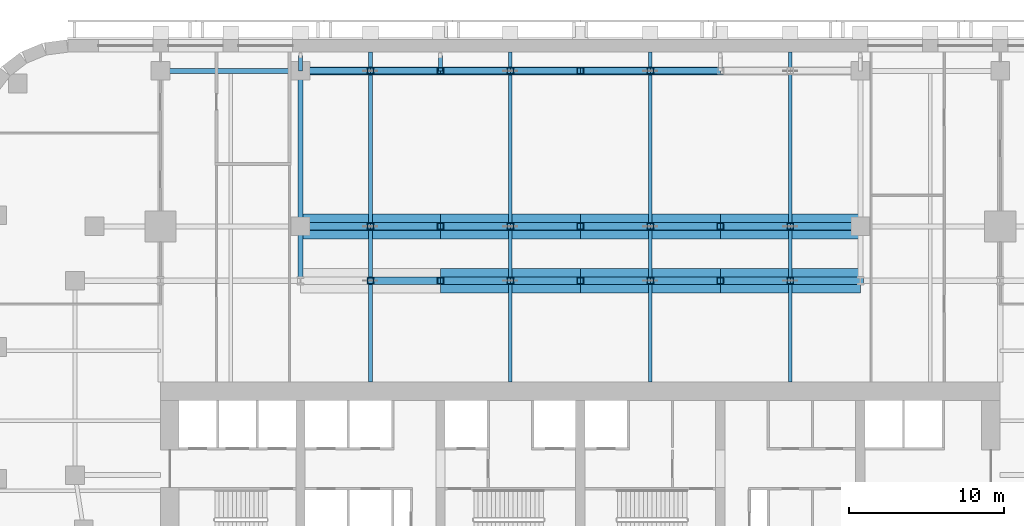
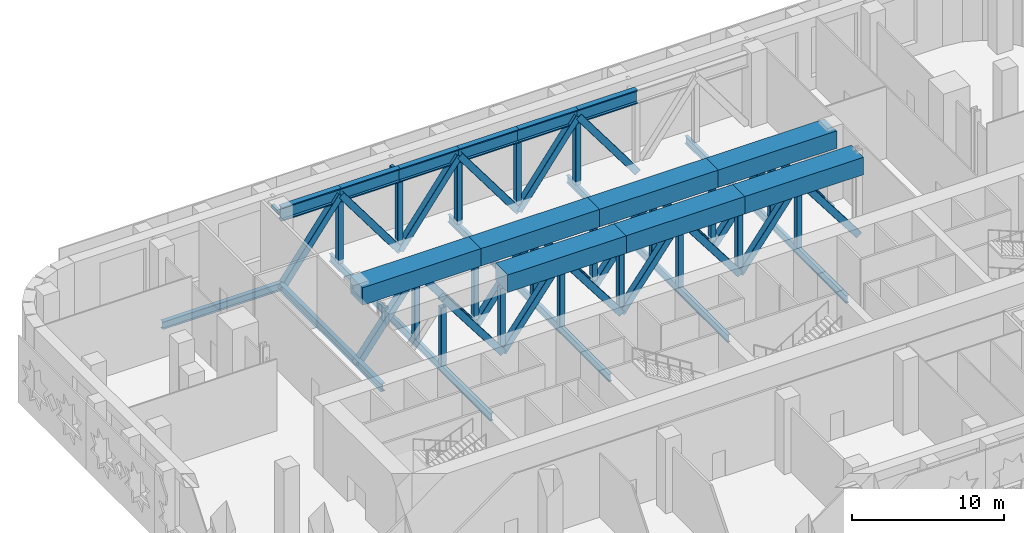
# One storey, part 2 of 15: 48 members, 13 beams.
"""IFC4 building model written with IfcOpenShell, lengths in metres."""

import ifcopenshell
import ifcopenshell.guid

model = None  # the IFC model being written
_history = None  # IfcOwnerHistory: only IFC2X3 demands one
_inside = {}  # id of a spatial element -> (the spatial element, [elements in it])
_under = {}  # id of a project, library or spatial element -> (it, [spatial elements below it])
_declared = {}  # id of a project -> (the project, [libraries it declares])
_typed = {}  # id of a type object -> (the type object, [elements of that type])
_made_of = {}  # id of a material, layer set ... -> (it, [elements and type objects made of it])


def new_model(schema):
    """Start an empty IFC model of exactly this schema.

    Asked for "IFC4X3", IfcOpenShell would pick the latest addendum, in which some entities
    have other attributes; the version numbers below select the first issue.
    IFC2X3 requires an IfcOwnerHistory on every rooted entity: one is made here for all.
    """
    global model, _history
    if schema == "IFC4X3":
        model = ifcopenshell.file(schema_version=(4, 3, 0, 0))
    else:
        model = ifcopenshell.file(schema=schema)
    _inside.clear()
    _under.clear()
    _declared.clear()
    _typed.clear()
    _made_of.clear()
    _history = None
    if model.schema == "IFC2X3":
        org = make("IfcOrganization", Name="unknown")
        user = make(
            "IfcPersonAndOrganization",
            ThePerson=make("IfcPerson", FamilyName="unknown"),
            TheOrganization=org,
        )
        app = make(
            "IfcApplication",
            ApplicationDeveloper=org,
            Version="unknown",
            ApplicationFullName="unknown",
            ApplicationIdentifier="unknown",
        )
        _history = make(
            "IfcOwnerHistory",
            OwningUser=user,
            OwningApplication=app,
            ChangeAction="ADDED",
            CreationDate=0,
        )
    return model


def make(cls, **values):
    """One entity of the class cls with the attributes given. An attribute that is None is left unset."""
    return model.create_entity(
        cls, **{name: value for name, value in values.items() if value is not None}
    )


def rooted(cls, **values):
    """An entity with a GlobalId (a new one), such as an element, a storey or a relation."""
    return make(cls, GlobalId=ifcopenshell.guid.new(), OwnerHistory=_history, **values)


def si_unit(unit_type, name, prefix=None):
    """IfcSIUnit, for example si_unit("LENGTHUNIT", "METRE", prefix="MILLI")."""
    return make("IfcSIUnit", UnitType=unit_type, Prefix=prefix, Name=name)


def assignment(units):
    """IfcUnitAssignment: the units of a project."""
    return None if units is None else make("IfcUnitAssignment", Units=units)


def point(xyz):
    """IfcCartesianPoint."""
    return None if xyz is None else make("IfcCartesianPoint", Coordinates=xyz)


def direction(xyz):
    """IfcDirection."""
    return None if xyz is None else make("IfcDirection", DirectionRatios=xyz)


def frame(location, z_axis=None, x_axis=None):
    """IfcAxis2Placement3D, a coordinate frame: its origin and axes. An axis left out is left unset."""
    return make(
        "IfcAxis2Placement3D",
        Location=point(location),
        Axis=direction(z_axis),
        RefDirection=direction(x_axis),
    )


def frame_2d(location, x_axis=None):
    """IfcAxis2Placement2D, a coordinate frame in the plane: its origin and x axis."""
    return make(
        "IfcAxis2Placement2D", Location=point(location), RefDirection=direction(x_axis)
    )


def origin():
    """The frame at (0, 0, 0) with its axes left unset."""
    return frame((0.0, 0.0, 0.0))


def origin_2d():
    """The frame at (0, 0) in the plane with its x axis left unset."""
    return frame_2d((0.0, 0.0))


def place(relative_to, where):
    """IfcLocalPlacement: puts the frame where relative to a parent placement (None: the world)."""
    return make(
        "IfcLocalPlacement", PlacementRelTo=relative_to, RelativePlacement=where
    )


def context(
    kind, dimensions, precision=None, world=None, true_north=None, identifier=None
):
    """IfcGeometricRepresentationContext, for example the 3D "Model" context."""
    return make(
        "IfcGeometricRepresentationContext",
        ContextIdentifier=identifier,
        ContextType=kind,
        CoordinateSpaceDimension=dimensions,
        Precision=precision,
        WorldCoordinateSystem=world,
        TrueNorth=true_north,
    )


def subcontext(parent, identifier, kind, view, scale=None):
    """IfcGeometricRepresentationSubContext, for example "Body" below "Model"."""
    return make(
        "IfcGeometricRepresentationSubContext",
        ContextIdentifier=identifier,
        ContextType=kind,
        ParentContext=parent,
        TargetScale=scale,
        TargetView=view,
    )


def project(units=None, contexts=None):
    """IfcProject with its units and contexts."""
    return rooted(
        "IfcProject",
        Name="project",
        RepresentationContexts=contexts,
        UnitsInContext=assignment(units),
    )


def spatial(cls, under=None, at=None, **own):
    """A site, building, storey or space (cls), placed at a placement, below another one or the project."""
    s = rooted(cls, ObjectPlacement=at, **own)
    if under is not None:
        _under.setdefault(under.id(), (under, []))[1].append(s)
    return s


def profile(cls, at=None, kind="AREA", **sizes):
    """A parametric profile (cls). Its sizes go by their IFC names, for example OverallWidth=200.0."""
    return make(cls, ProfileType=kind, Position=at, **sizes)


def rectangle(**sizes):
    """IfcRectangleProfileDef."""
    return profile("IfcRectangleProfileDef", **sizes)


def hollow_rectangle(**sizes):
    """IfcRectangleHollowProfileDef."""
    return profile("IfcRectangleHollowProfileDef", **sizes)


def i_section(**sizes):
    """IfcIShapeProfileDef."""
    return profile("IfcIShapeProfileDef", **sizes)


def extrude(swept, where, along, depth):
    """IfcExtrudedAreaSolid: the profile swept, set in the frame where, extruded along a direction by depth."""
    return make(
        "IfcExtrudedAreaSolid",
        SweptArea=swept,
        Position=where,
        ExtrudedDirection=direction(along),
        Depth=depth,
    )


def shape(context_of_items, identifier, shape_type, items):
    """IfcShapeRepresentation: the items that make up one representation, for example the "Body"."""
    return make(
        "IfcShapeRepresentation",
        ContextOfItems=context_of_items,
        RepresentationIdentifier=identifier,
        RepresentationType=shape_type,
        Items=items,
    )


def material(Name=None, Category=None):
    """IfcMaterial."""
    return make("IfcMaterial", Name=Name, Category=Category)


def material_profile(
    of_material, cross_section, Name=None, Category=None, Priority=None
):
    """IfcMaterialProfile: a cross section and its material."""
    return make(
        "IfcMaterialProfile",
        Name=Name,
        Material=of_material,
        Profile=cross_section,
        Priority=Priority,
        Category=Category,
    )


def profile_set(profiles, Name=None, composite=None):
    """IfcMaterialProfileSet."""
    return make(
        "IfcMaterialProfileSet",
        Name=Name,
        MaterialProfiles=profiles,
        CompositeProfile=composite,
    )


def made_of(thing, what):
    """Note that an element or type object is made of a material, layer set ...; save() writes the relation."""
    if what is not None:
        _made_of.setdefault(what.id(), (what, []))[1].append(thing)
    return thing


def type_object(cls, material=None, **own):
    """A type object (cls), such as IfcWallType, which elements share."""
    return made_of(rooted(cls, **own), material)


def element(
    cls,
    number,
    at=None,
    inside=None,
    cuts=None,
    type_object=None,
    material=None,
    context=None,
    identifier="Body",
    shape_type=None,
    held_by="IfcProductDefinitionShape",
    body=None,
    shapes=None,
    **own,
):
    """One element of the class cls, such as IfcWall. Its Tag is "e" and its number.

    at: its placement. inside: the storey or other place that contains it. cuts: it is an
    opening in that element (IfcRelVoidsElement). A single representation is given by context,
    identifier, shape_type and body (its items); several are given by shapes. held_by: the class
    of the entity that holds the representations. save() writes the other relations.
    """
    e = rooted(cls, Tag="e%d" % number, ObjectPlacement=at, **own)
    if body is not None:
        shapes = [shape(context, identifier, shape_type, body)]
    if shapes is not None:
        e.Representation = make(held_by, Representations=shapes)
    if inside is not None:
        _inside.setdefault(inside.id(), (inside, []))[1].append(e)
    if cuts is not None:
        rooted(
            "IfcRelVoidsElement", RelatingBuildingElement=cuts, RelatedOpeningElement=e
        )
    if type_object is not None:
        _typed.setdefault(type_object.id(), (type_object, []))[1].append(e)
    return made_of(e, material)


def aggregate(whole, parts):
    """IfcRelAggregates: a whole, such as a stair, and the parts it consists of."""
    return rooted("IfcRelAggregates", RelatingObject=whole, RelatedObjects=parts)


def save(model, path):
    """Write the relations noted so far, then the file.

    IfcRelAggregates (storeys below a building ...), IfcRelContainedInSpatialStructure (elements
    in a storey), IfcRelDefinesByType, IfcRelAssociatesMaterial and IfcRelDeclares: one each for
    every whole, place, type object, material and project.
    """
    for whole, parts in _under.values():
        aggregate(whole, parts)
    for where, things in _inside.values():
        rooted(
            "IfcRelContainedInSpatialStructure",
            RelatedElements=things,
            RelatingStructure=where,
        )
    for kind, things in _typed.values():
        rooted("IfcRelDefinesByType", RelatedObjects=things, RelatingType=kind)
    for what, things in _made_of.values():
        rooted("IfcRelAssociatesMaterial", RelatedObjects=things, RelatingMaterial=what)
    for by, libraries in _declared.values():
        rooted("IfcRelDeclares", RelatingContext=by, RelatedDefinitions=libraries)
    model.write(path)


model = new_model("IFC4")

# Units and contexts
model_context = context("Model", 3, precision=1e-05, world=origin(), true_north=direction((0.0, 1.0)))
body_context = subcontext(model_context, "Body", "Model", "MODEL_VIEW")
ifc_project = project(units=[si_unit("LENGTHUNIT", "METRE"), si_unit("AREAUNIT", "SQUARE_METRE"), si_unit("VOLUMEUNIT", "CUBIC_METRE"), si_unit("PLANEANGLEUNIT", "RADIAN"), si_unit("MASSUNIT", "GRAM", prefix="KILO")], contexts=[model_context])

# Site, building, storey
site_placement = place(None, origin())
site = spatial("IfcSite", under=ifc_project, at=site_placement, CompositionType="ELEMENT")
building_placement = place(site_placement, origin())
building = spatial("IfcBuilding", under=site, at=building_placement, Name="Zellij Exchange Tower", CompositionType="ELEMENT")
storey_placement = place(building_placement, frame((0.0, 0.0, 33.0)))
storey = spatial("IfcBuildingStorey", under=building, at=storey_placement, Name="L05", CompositionType="ELEMENT", Elevation=33.0)

# Beams
ifc_material_1 = material(Name="Structural steel ASTM A992 Gr 50", Category="steel")
ifc_material_profile_1 = material_profile(ifc_material_1, i_section(OverallWidth=0.22900390625, OverallDepth=0.612060546875, WebThickness=0.011962890625, FlangeThickness=0.01953125, at=origin_2d()), Name="W24x84")
ifc_profile_set_1 = profile_set([ifc_material_profile_1], Name="Structural steel ASTM A992 Gr 50")
beam_type_1 = type_object("IfcBeamType", Name="STR-BEAM W24x84", PredefinedType="BEAM", material=ifc_profile_set_1)
for number, where, z_axis, x_axis, name in (
    (1, (-13.5, -2.0, -0.606201171875), (0.0, 1.0, 0.0), (-1.0, 0.0, 0.0), "B6"),
    (2, (-4.5, -2.0, -0.606201171875), (0.0, 1.0, 0.0), (-1.0, 0.0, 0.0), "B6"),
    (3, (4.5, -2.0, -0.606201171875), (0.0, 1.0, 0.0), (-1.0, 0.0, 0.0), "B6"),
    (4, (13.5, -2.0, -0.606201171875), (0.0, 1.0, 0.0), (-1.0, 0.0, 0.0), "B6"),
):
    element("IfcBeam", number, at=place(storey_placement, frame(where, z_axis=z_axis, x_axis=x_axis)), inside=storey, type_object=beam_type_1, Name=name, PredefinedType="BEAM", context=body_context, shape_type="SweptSolid", body=[
        extrude(i_section(OverallWidth=0.22900390625, OverallDepth=0.612060546875, WebThickness=0.011962890625, FlangeThickness=0.01953125, at=origin_2d()), origin(), (0.0, 0.0, 1.0), 21.199951171875),
    ])
ifc_material_profile_2 = material_profile(ifc_material_1, i_section(OverallWidth=0.3251953125, OverallDepth=0.612060546875, WebThickness=0.0126953125, FlangeThickness=0.01904296875, at=origin_2d()), Name="W24x104")
ifc_profile_set_2 = profile_set([ifc_material_profile_2], Name="Structural steel ASTM A992 Gr 50")
beam_type_2 = type_object("IfcBeamType", Name="STR-GIRDER W24x104", PredefinedType="BEAM", material=ifc_profile_set_2)
beam_1_placement = place(storey_placement, frame((-27.0, 18.0, -0.606201171875), z_axis=(1.0, 0.0, 0.0), x_axis=(0.0, 1.0, 0.0)))
element("IfcBeam", 5, at=beam_1_placement, inside=storey, type_object=beam_type_2, Name="G3", PredefinedType="BEAM", context=body_context, shape_type="SweptSolid", body=[
    extrude(i_section(OverallWidth=0.3251953125, OverallDepth=0.612060546875, WebThickness=0.0126953125, FlangeThickness=0.01904296875, at=origin_2d()), origin(), (0.0, 0.0, 1.0), 9.0),
])
beam_2_placement = place(storey_placement, frame((-18.0, 4.5, -0.606201171875), z_axis=(0.0, 1.0, 0.0), x_axis=(-1.0, 0.0, 0.0)))
element("IfcBeam", 6, at=beam_2_placement, inside=storey, type_object=beam_type_2, Name="G3", PredefinedType="BEAM", context=body_context, shape_type="SweptSolid", body=[
    extrude(i_section(OverallWidth=0.3251953125, OverallDepth=0.612060546875, WebThickness=0.0126953125, FlangeThickness=0.01904296875, at=origin_2d()), origin(), (0.0, 0.0, 1.0), 13.5),
])
ifc_material_2 = material(Name="Concrete C70/85", Category="concrete")
ifc_material_profile_3 = material_profile(ifc_material_2, rectangle(XDim=1.60009765625, YDim=1.39990234375, at=origin_2d()), Name="STR-HALL TRANSFER GIRDER RC1600x1400 C70/85")
ifc_profile_set_3 = profile_set([ifc_material_profile_3], Name="Concrete C70/85")
beam_type_3 = type_object("IfcBeamType", Name="STR-HALL TRANSFER GIRDER RC1600x1400 C70/85", PredefinedType="BEAM", material=ifc_profile_set_3)
for number, where, z_axis, x_axis, name in (
    (7, (-9.0, 4.5, 5.050048828125), (1.0, 0.0, 0.0), (0.0, 1.0, 0.0), "HG1"),
    (8, (0.0, 4.5, 5.050048828125), (1.0, 0.0, 0.0), (0.0, 1.0, 0.0), "HG1"),
    (9, (9.0, 4.5, 5.050048828125), (1.0, 0.0, 0.0), (0.0, 1.0, 0.0), "HG1"),
    (10, (-18.0, 8.0, 5.050048828125), (1.0, 0.0, 0.0), (0.0, 1.0, 0.0), "HG1"),
    (11, (-9.0, 8.0, 5.050048828125), (1.0, 0.0, 0.0), (0.0, 1.0, 0.0), "HG1"),
    (12, (0.0, 8.0, 5.050048828125), (1.0, 0.0, 0.0), (0.0, 1.0, 0.0), "HG1"),
    (13, (9.0, 8.0, 5.050048828125), (1.0, 0.0, 0.0), (0.0, 1.0, 0.0), "HG1"),
):
    element("IfcBeam", number, at=place(storey_placement, frame(where, z_axis=z_axis, x_axis=x_axis)), inside=storey, type_object=beam_type_3, Name=name, PredefinedType="BEAM", context=body_context, shape_type="SweptSolid", body=[
        extrude(rectangle(XDim=1.60009765625, YDim=1.39990234375, at=origin_2d()), origin(), (0.0, 0.0, 1.0), 9.0),
    ])

# Members
ifc_material_3 = material(Name="Structural steel ASTM A913 Gr 65", Category="steel")
ifc_material_profile_4 = material_profile(ifc_material_3, i_section(OverallWidth=0.424072265625, OverallDepth=1.09228515625, WebThickness=0.04541015625, FlangeThickness=0.08203125, at=origin_2d()), Name="W40x593")
ifc_profile_set_4 = profile_set([ifc_material_profile_4], Name="Structural steel ASTM A913 Gr 65")
member_type_1 = type_object("IfcMemberType", Name="STR-PODIUM TRANSFER TRUSS CHORD W40x593", PredefinedType="CHORD", material=ifc_profile_set_4)
for number, where, z_axis, x_axis, name in (
    (14, (-18.0, 18.0, 5.203857421875), (1.0, 0.0, 0.0), (0.0, 1.0, 0.0), "PT1"),
    (15, (-13.5, 18.0, 5.203857421875), (1.0, 0.0, 0.0), (0.0, 1.0, 0.0), "PT1"),
    (16, (-9.0, 18.0, 5.203857421875), (1.0, 0.0, 0.0), (0.0, 1.0, 0.0), "PT1"),
    (17, (-4.5, 18.0, 5.203857421875), (1.0, 0.0, 0.0), (0.0, 1.0, 0.0), "PT1"),
    (18, (0.0, 18.0, 5.203857421875), (1.0, 0.0, 0.0), (0.0, 1.0, 0.0), "PT1"),
    (19, (4.5, 18.0, 5.203857421875), (1.0, 0.0, 0.0), (0.0, 1.0, 0.0), "PT1"),
):
    element("IfcMember", number, at=place(storey_placement, frame(where, z_axis=z_axis, x_axis=x_axis)), inside=storey, type_object=member_type_1, Name=name, PredefinedType="CHORD", context=body_context, shape_type="SweptSolid", body=[
        extrude(i_section(OverallWidth=0.424072265625, OverallDepth=1.09228515625, WebThickness=0.04541015625, FlangeThickness=0.08203125, at=origin_2d()), origin(), (0.0, 0.0, 1.0), 4.5),
    ])
ifc_material_4 = material(Name="Structural steel ASTM A500 Gr C", Category="steel")
ifc_material_profile_5 = material_profile(ifc_material_4, hollow_rectangle(XDim=0.508056640625, YDim=0.508056640625, WallThickness=0.0146484375, InnerFilletRadius=0.0146484375, OuterFilletRadius=0.029541015625, at=origin_2d()), Name="STR-PODIUM TRANSFER TRUSS DIAGONAL HSS20x20x5/8")
ifc_profile_set_5 = profile_set([ifc_material_profile_5], Name="Structural steel ASTM A500 Gr C")
member_type_2 = type_object("IfcMemberType", Name="STR-PODIUM TRANSFER TRUSS DIAGONAL HSS20x20x5/8", PredefinedType="BRACE", material=ifc_profile_set_5)
for number, where, z_axis, x_axis, name in (
    (20, (-13.5, 4.5, 5.050048828125), (0.606693572465, 0.0, -0.794935789312), (0.0, 1.0, 0.0), "PT2"),
    (21, (-9.0, 4.5, -0.84619140625), (0.606693572465, 0.0, 0.794935789312), (0.0, 1.0, 0.0), "PT2"),
    (22, (-4.5, 4.5, 5.050048828125), (0.606693572465, 0.0, -0.794935789312), (0.0, 1.0, 0.0), "PT2"),
    (23, (0.0, 4.5, -0.84619140625), (0.606693572465, 0.0, 0.794935789312), (0.0, 1.0, 0.0), "PT2"),
    (24, (4.5, 4.5, 5.050048828125), (0.606693572465, 0.0, -0.794935789312), (0.0, 1.0, 0.0), "PT2"),
    (25, (9.0, 4.5, -0.84619140625), (0.606693572465, 0.0, 0.794935789312), (0.0, 1.0, 0.0), "PT2"),
    (26, (13.5, 4.5, 5.050048828125), (0.606693572465, 0.0, -0.794935789312), (0.0, 1.0, 0.0), "PT2"),
    (27, (-18.0, 8.0, -0.84619140625), (0.606693572465, 0.0, 0.794935789312), (0.0, 1.0, 0.0), "PT2"),
    (28, (-13.5, 8.0, 5.050048828125), (0.606693572465, 0.0, -0.794935789312), (0.0, 1.0, 0.0), "PT2"),
    (29, (-9.0, 8.0, -0.84619140625), (0.606693572465, 0.0, 0.794935789312), (0.0, 1.0, 0.0), "PT2"),
    (30, (-4.5, 8.0, 5.050048828125), (0.606693572465, 0.0, -0.794935789312), (0.0, 1.0, 0.0), "PT2"),
    (31, (0.0, 8.0, -0.84619140625), (0.606693572465, 0.0, 0.794935789312), (0.0, 1.0, 0.0), "PT2"),
    (32, (4.5, 8.0, 5.050048828125), (0.606693572465, 0.0, -0.794935789312), (0.0, 1.0, 0.0), "PT2"),
    (33, (9.0, 8.0, -0.84619140625), (0.606693572465, 0.0, 0.794935789312), (0.0, 1.0, 0.0), "PT2"),
    (34, (13.5, 8.0, 5.050048828125), (0.606693572465, 0.0, -0.794935789312), (0.0, 1.0, 0.0), "PT2"),
):
    element("IfcMember", number, at=place(storey_placement, frame(where, z_axis=z_axis, x_axis=x_axis)), inside=storey, type_object=member_type_2, Name=name, PredefinedType="BRACE", context=body_context, shape_type="SweptSolid", body=[
        extrude(hollow_rectangle(XDim=0.508056640625, YDim=0.508056640625, WallThickness=0.0146484375, InnerFilletRadius=0.0146484375, OuterFilletRadius=0.029541015625, at=origin_2d()), origin(), (0.0, 0.0, 1.0), 7.417236328125),
    ])
for number, where, z_axis, x_axis, name in (
    (35, (-18.0, 18.0, -0.84619140625), (0.596809151099, 0.0, 0.802383223382), (0.0, 1.0, 0.0), "PT2"),
    (36, (-13.5, 18.0, 5.203857421875), (0.596809151099, 0.0, -0.802383223382), (0.0, 1.0, 0.0), "PT2"),
    (37, (-9.0, 18.0, -0.84619140625), (0.596809151099, 0.0, 0.802383223382), (0.0, 1.0, 0.0), "PT2"),
    (38, (-4.5, 18.0, 5.203857421875), (0.596809151099, 0.0, -0.802383223382), (0.0, 1.0, 0.0), "PT2"),
    (39, (0.0, 18.0, -0.84619140625), (0.596809151099, 0.0, 0.802383223382), (0.0, 1.0, 0.0), "PT2"),
    (40, (4.5, 18.0, 5.203857421875), (0.596809151099, 0.0, -0.802383223382), (0.0, 1.0, 0.0), "PT2"),
):
    element("IfcMember", number, at=place(storey_placement, frame(where, z_axis=z_axis, x_axis=x_axis)), inside=storey, type_object=member_type_2, Name=name, PredefinedType="BRACE", context=body_context, shape_type="SweptSolid", body=[
        extrude(hollow_rectangle(XDim=0.508056640625, YDim=0.508056640625, WallThickness=0.0146484375, InnerFilletRadius=0.0146484375, OuterFilletRadius=0.029541015625, at=origin_2d()), origin(), (0.0, 0.0, 1.0), 7.5400390625),
    ])
ifc_material_profile_6 = material_profile(ifc_material_4, hollow_rectangle(XDim=0.406494140625, YDim=0.406494140625, WallThickness=0.0146484375, InnerFilletRadius=0.0146484375, OuterFilletRadius=0.029541015625, at=origin_2d()), Name="STR-PODIUM TRANSFER TRUSS POST HSS16x16x5/8")
ifc_profile_set_6 = profile_set([ifc_material_profile_6], Name="Structural steel ASTM A500 Gr C")
member_type_3 = type_object("IfcMemberType", Name="STR-PODIUM TRANSFER TRUSS POST HSS16x16x5/8", PredefinedType="POST", material=ifc_profile_set_6)
for number, where, z_axis, x_axis, name in (
    (41, (-13.5, 4.5, -0.300048828125), (0.0, 0.0, 1.0), (1.0, 0.0, 0.0), "PT3"),
    (42, (-9.0, 4.5, -0.300048828125), (0.0, 0.0, 1.0), (1.0, 0.0, 0.0), "PT3"),
    (43, (-4.5, 4.5, -0.300048828125), (0.0, 0.0, 1.0), (1.0, 0.0, 0.0), "PT3"),
    (44, (0.0, 4.5, -0.300048828125), (0.0, 0.0, 1.0), (1.0, 0.0, 0.0), "PT3"),
    (45, (4.5, 4.5, -0.300048828125), (0.0, 0.0, 1.0), (1.0, 0.0, 0.0), "PT3"),
    (46, (9.0, 4.5, -0.300048828125), (0.0, 0.0, 1.0), (1.0, 0.0, 0.0), "PT3"),
    (47, (13.5, 4.5, -0.300048828125), (0.0, 0.0, 1.0), (1.0, 0.0, 0.0), "PT3"),
    (48, (-13.5, 8.0, -0.300048828125), (0.0, 0.0, 1.0), (1.0, 0.0, 0.0), "PT3"),
    (49, (-9.0, 8.0, -0.300048828125), (0.0, 0.0, 1.0), (1.0, 0.0, 0.0), "PT3"),
    (50, (-4.5, 8.0, -0.300048828125), (0.0, 0.0, 1.0), (1.0, 0.0, 0.0), "PT3"),
    (51, (0.0, 8.0, -0.300048828125), (0.0, 0.0, 1.0), (1.0, 0.0, 0.0), "PT3"),
    (52, (4.5, 8.0, -0.300048828125), (0.0, 0.0, 1.0), (1.0, 0.0, 0.0), "PT3"),
    (53, (9.0, 8.0, -0.300048828125), (0.0, 0.0, 1.0), (1.0, 0.0, 0.0), "PT3"),
    (54, (13.5, 8.0, -0.300048828125), (0.0, 0.0, 1.0), (1.0, 0.0, 0.0), "PT3"),
):
    element("IfcMember", number, at=place(storey_placement, frame(where, z_axis=z_axis, x_axis=x_axis)), inside=storey, type_object=member_type_3, Name=name, PredefinedType="POST", context=body_context, shape_type="SweptSolid", body=[
        extrude(hollow_rectangle(XDim=0.406494140625, YDim=0.406494140625, WallThickness=0.0146484375, InnerFilletRadius=0.0146484375, OuterFilletRadius=0.029541015625, at=origin_2d()), origin(), (0.0, 0.0, 1.0), 4.650146484375),
    ])
for number, where, z_axis, x_axis, name in (
    (55, (-13.5, 18.0, -0.300048828125), (0.0, 0.0, 1.0), (1.0, 0.0, 0.0), "PT3"),
    (56, (-9.0, 18.0, -0.300048828125), (0.0, 0.0, 1.0), (1.0, 0.0, 0.0), "PT3"),
    (57, (-4.5, 18.0, -0.300048828125), (0.0, 0.0, 1.0), (1.0, 0.0, 0.0), "PT3"),
    (58, (0.0, 18.0, -0.300048828125), (0.0, 0.0, 1.0), (1.0, 0.0, 0.0), "PT3"),
    (59, (4.5, 18.0, -0.300048828125), (0.0, 0.0, 1.0), (1.0, 0.0, 0.0), "PT3"),
):
    element("IfcMember", number, at=place(storey_placement, frame(where, z_axis=z_axis, x_axis=x_axis)), inside=storey, type_object=member_type_3, Name=name, PredefinedType="POST", context=body_context, shape_type="SweptSolid", body=[
        extrude(hollow_rectangle(XDim=0.406494140625, YDim=0.406494140625, WallThickness=0.0146484375, InnerFilletRadius=0.0146484375, OuterFilletRadius=0.029541015625, at=origin_2d()), origin(), (0.0, 0.0, 1.0), 4.957763671875),
    ])
ifc_material_profile_7 = material_profile(ifc_material_4, hollow_rectangle(XDim=0.25390625, YDim=0.25390625, WallThickness=0.0087890625, InnerFilletRadius=0.0087890625, OuterFilletRadius=0.017822265625, at=origin_2d()), Name="STR-WIND POST TIE HSS10x10x3/8")
ifc_profile_set_7 = profile_set([ifc_material_profile_7], Name="Structural steel ASTM A500 Gr C")
member_type_4 = type_object("IfcMemberType", Name="STR-WIND POST TIE HSS10x10x3/8", PredefinedType="MEMBER", material=ifc_profile_set_7)
for number, where, z_axis, x_axis, name in (
    (60, (-18.0, 19.0, 5.203857421875), (0.0, -1.0, 0.0), (1.0, 0.0, 0.0), "WT"),
    (61, (-9.0, 19.0, 5.203857421875), (0.0, -1.0, 0.0), (1.0, 0.0, 0.0), "WT"),
):
    element("IfcMember", number, at=place(storey_placement, frame(where, z_axis=z_axis, x_axis=x_axis)), inside=storey, type_object=member_type_4, Name=name, PredefinedType="MEMBER", context=body_context, shape_type="SweptSolid", body=[
        extrude(hollow_rectangle(XDim=0.25390625, YDim=0.25390625, WallThickness=0.0087890625, InnerFilletRadius=0.0087890625, OuterFilletRadius=0.017822265625, at=origin_2d()), origin(), (0.0, 0.0, 1.0), 1.0),
    ])

save(model, "model.ifc")
